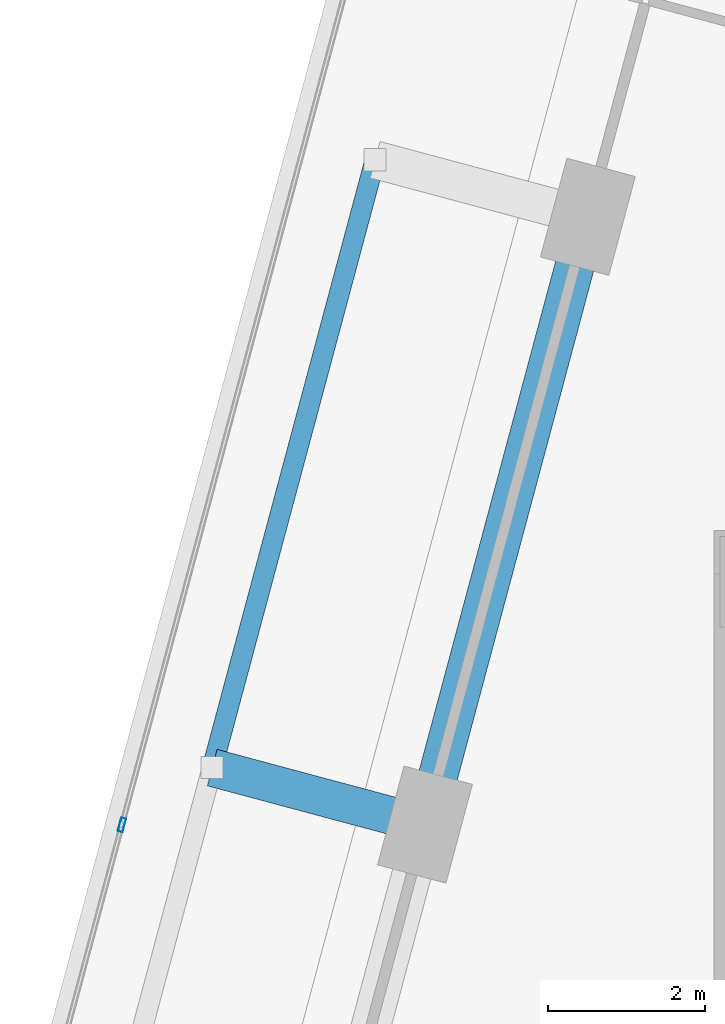
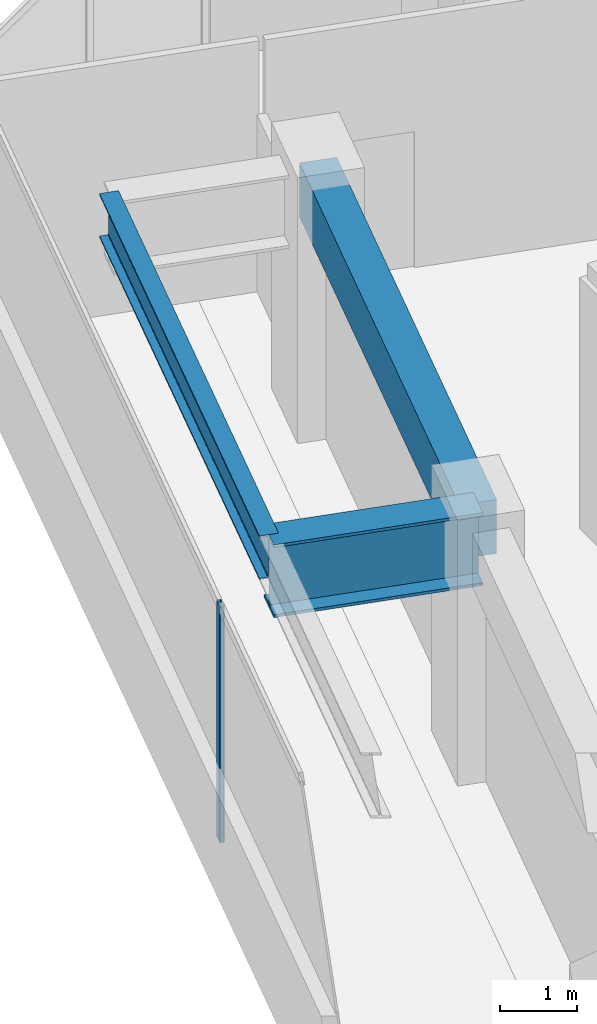
# One storey, part 6 of 26: 3 beams, 1 member, 1 element without a shape of its own.
"""IFC4 building model written with IfcOpenShell, lengths in metres."""

from ifc_helpers import new_model, si_unit, direction, frame, origin, origin_2d, place, context, subcontext, project, spatial, rectangle, hollow_rectangle, i_section, extrude, source, transform, mapped, material, material_profile, profile_set, type_object, element, aggregate, save


model = new_model("IFC4")

# Units and contexts
model_context = context("Model", 3, precision=1e-05, world=origin(), true_north=direction((0.0, 1.0)))
body_context = subcontext(model_context, "Body", "Model", "MODEL_VIEW")
ifc_project = project(units=[si_unit("LENGTHUNIT", "METRE"), si_unit("AREAUNIT", "SQUARE_METRE"), si_unit("VOLUMEUNIT", "CUBIC_METRE"), si_unit("PLANEANGLEUNIT", "RADIAN"), si_unit("MASSUNIT", "GRAM", prefix="KILO")], contexts=[model_context])

# Site, building, storey
site_placement = place(None, origin())
site = spatial("IfcSite", under=ifc_project, at=site_placement, CompositionType="ELEMENT")
building_placement = place(site_placement, origin())
building = spatial("IfcBuilding", under=site, at=building_placement, Name="Torre Montelarca", CompositionType="ELEMENT")
storey_placement = place(building_placement, frame((0.0, 0.0, 100.0)))
storey = spatial("IfcBuildingStorey", under=building, at=storey_placement, Name="L22", CompositionType="ELEMENT", Elevation=100.0)

# Beams
ifc_material_1 = material(Name="Concrete C55/67", Category="concrete")
ifc_material_profile_1 = material_profile(ifc_material_1, rectangle(XDim=0.5, YDim=0.85009765625, at=origin_2d()), Name="RCB500X850", Category="concrete")
ifc_profile_set_1 = profile_set([ifc_material_profile_1], Name="Concrete C55/67")
beam_type_1 = type_object("IfcBeamType", Name="BM-SP-RC850-EXT", PredefinedType="SPANDREL", material=ifc_profile_set_1)
shared_shape_1 = source(origin(), body_context, "Body", "SweptSolid", [
    extrude(rectangle(XDim=0.5, YDim=0.85009765625, at=origin_2d()), origin(), (0.0, 0.0, 1.0), 8.0),
])
beam_1_placement = place(storey_placement, frame((5.22412109375, 36.361083984375, 3.534912109375), z_axis=(0.258823034556, 0.965924757309, 0.0), x_axis=(-0.965924757309, 0.258823034556, 0.0)))
element("IfcBeam", 1, at=beam_1_placement, inside=storey, type_object=beam_type_1, Name="L22 Grid Girder Y 32.0-40.0 at X=4.7", PredefinedType="SPANDREL", context=body_context, shape_type="MappedRepresentation", body=[
    mapped(shared_shape_1, transform((0.0, 0.0, 0.0), scale=1.0)),
])
ifc_material_2 = material(Name="Steel ASTM A572 Grade 50", Category="steel")
ifc_material_profile_2 = material_profile(ifc_material_2, i_section(OverallWidth=0.47998046875, OverallDepth=1.14990234375, WebThickness=0.02197265625, FlangeThickness=0.044921875, at=origin_2d()), Name="PG1150X480X22X45", Category="steel")
ifc_profile_set_2 = profile_set([ifc_material_profile_2], Name="Steel ASTM A572 Grade 50")
beam_type_2 = type_object("IfcBeamType", Name="BM-CG-PG1400-EXT", PredefinedType="USERDEFINED", material=ifc_profile_set_2)
shared_shape_2 = source(origin(), body_context, "Body", "SweptSolid", [
    extrude(i_section(OverallWidth=0.47998046875, OverallDepth=1.14990234375, WebThickness=0.02197265625, FlangeThickness=0.044921875, at=origin_2d()), origin(), (0.0, 0.0, 1.0), 2.800048828125),
])
beam_2_placement = place(storey_placement, frame((5.22412109375, 36.361083984375, 3.385009765625), z_axis=(-0.965933262516, 0.258791291131, 0.0), x_axis=(-0.258791291131, -0.965933262516, 0.0)))
element("IfcBeam", 2, at=beam_2_placement, inside=storey, type_object=beam_type_2, Name="L22 Sliding Tray Cantilever Girder West Y=32.0m (FLR)", ObjectType="CANTILEVER GIRDER", PredefinedType="USERDEFINED", context=body_context, shape_type="MappedRepresentation", body=[
    mapped(shared_shape_2, transform((0.0, 0.0, 0.0), scale=1.0)),
])
ifc_material_3 = material(Name="Steel ASTM A992 Grade 50", Category="steel")
ifc_material_profile_3 = material_profile(ifc_material_3, i_section(OverallWidth=0.256103515625, OverallDepth=0.693115234375, WebThickness=0.014404296875, FlangeThickness=0.023681640625, FilletRadius=0.01806640625, at=origin_2d()), Name="W690X170", Category="steel")
ifc_profile_set_3 = profile_set([ifc_material_profile_3], Name="Steel ASTM A992 Grade 50")
beam_type_3 = type_object("IfcBeamType", Name="BM-G-W690-EXT", PredefinedType="BEAM", material=ifc_profile_set_3)
shared_shape_3 = source(origin(), body_context, "Body", "SweptSolid", [
    extrude(i_section(OverallWidth=0.256103515625, OverallDepth=0.693115234375, WebThickness=0.014404296875, FlangeThickness=0.023681640625, FilletRadius=0.01806640625, at=origin_2d()), origin(), (0.0, 0.0, 1.0), 8.000244140625),
])
beam_3_placement = place(storey_placement, frame((2.51953125, 37.085693359375, 3.614013671875), z_axis=(0.258815405168, 0.965926801599, 0.0), x_axis=(-0.965926801599, 0.258815405168, 0.0)))
element("IfcBeam", 3, at=beam_3_placement, inside=storey, type_object=beam_type_3, Name="L22 Sliding Tray Edge Girder West 32.0-40.0m (FLR)", PredefinedType="BEAM", context=body_context, shape_type="MappedRepresentation", body=[
    mapped(shared_shape_3, transform((0.0, 0.0, 0.0), scale=1.0)),
])

# Curtain wall, member
ifc_material_4 = material(Name="Insulated low-E laminated glass", Category="glass")
curtain_wall_type = type_object("IfcCurtainWallType", Name="CW-SYS-Z1", PredefinedType="USERDEFINED", material=ifc_material_4)
curtain_wall_placement = place(storey_placement, origin())
curtain_wall = element("IfcCurtainWall", 4, at=curtain_wall_placement, inside=storey, type_object=curtain_wall_type, Name="L22 Curtain Wall Run CW-T3-L22-E10-B1", ObjectType="UNITISED GLAZING", PredefinedType="USERDEFINED")
ifc_material_5 = material(Name="Anodised aluminium AA 6063-T6", Category="aluminium")
ifc_material_profile_4 = material_profile(ifc_material_5, hollow_rectangle(XDim=0.06494140625, YDim=0.179931640625, WallThickness=0.00390625, InnerFilletRadius=0.00390625, OuterFilletRadius=0.008056640625, at=origin_2d()), Name="ALU65X180X4", Category="aluminium")
ifc_profile_set_4 = profile_set([ifc_material_profile_4], Name="Anodised aluminium AA 6063-T6")
member_type = type_object("IfcMemberType", Name="CWM-ALU180", PredefinedType="MULLION", material=ifc_profile_set_4)
shared_shape_4 = source(origin(), body_context, "Body", "SweptSolid", [
    extrude(hollow_rectangle(XDim=0.06494140625, YDim=0.179931640625, WallThickness=0.00390625, InnerFilletRadius=0.00390625, OuterFilletRadius=0.008056640625, at=origin_2d()), origin(), (0.0, 0.0, 1.0), 3.719970703125),
])
member_placement = place(storey_placement, frame((1.3720703125, 36.35791015625, 0.0), z_axis=(0.0, 0.0, 1.0), x_axis=(0.965926043153, -0.258818235755, 0.0)))
member = element("IfcMember", 5, at=member_placement, type_object=member_type, Name="CW mullion 2", PredefinedType="MULLION", context=body_context, shape_type="MappedRepresentation", body=[
    mapped(shared_shape_4, transform((0.0, 0.0, 0.0), scale=1.0)),
])
aggregate(curtain_wall, [member])

save(model, "model.ifc")
